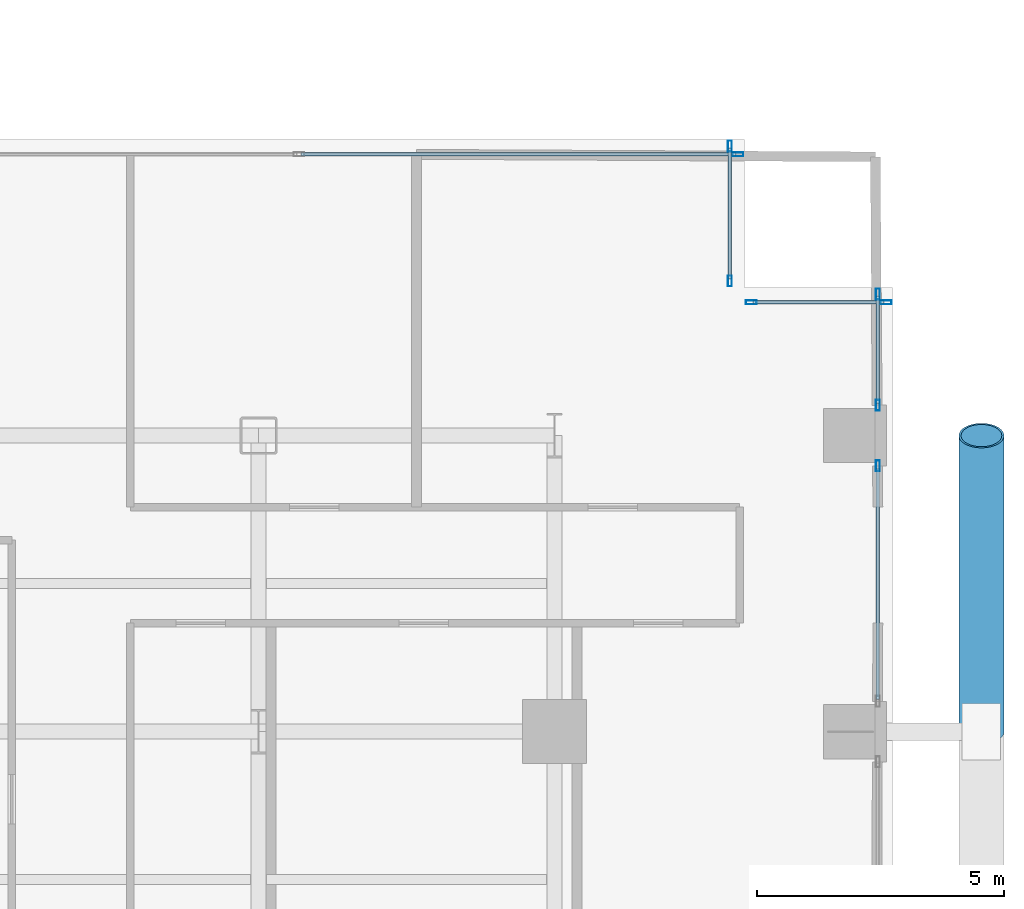
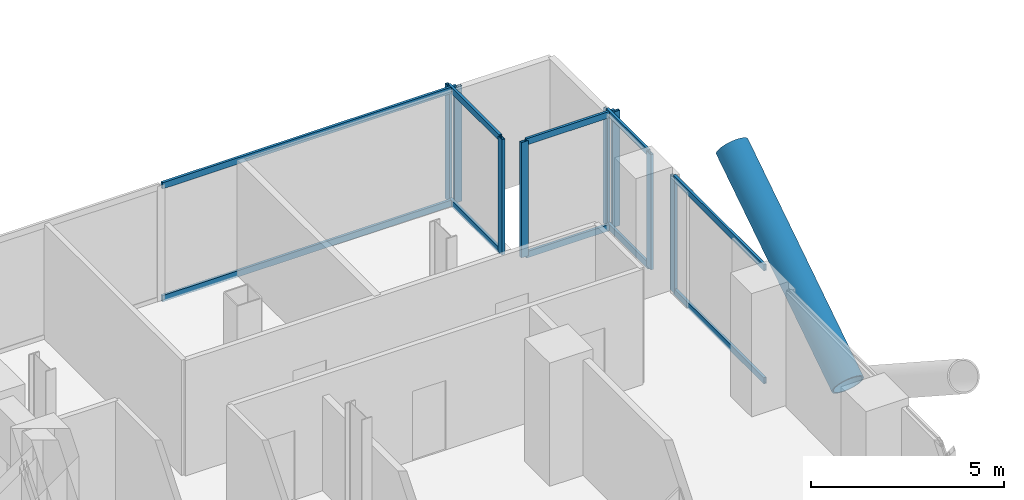
# One storey, part 12 of 27: 19 members, 5 elements without a shape of their own.
"""IFC4 building model written with IfcOpenShell, lengths in metres."""

from ifc_helpers import new_model, si_unit, direction, frame, origin, origin_2d, place, context, subcontext, project, spatial, hollow_rectangle, hollow_circle, extrude, material, layer, layer_set, material_profile, profile_set, type_object, element, aggregate, save


model = new_model("IFC4")

# Units and contexts
model_context = context("Model", 3, precision=1e-05, world=origin(), true_north=direction((0.0, 1.0)))
body_context = subcontext(model_context, "Body", "Model", "MODEL_VIEW")
ifc_project = project(units=[si_unit("LENGTHUNIT", "METRE"), si_unit("AREAUNIT", "SQUARE_METRE"), si_unit("VOLUMEUNIT", "CUBIC_METRE"), si_unit("PLANEANGLEUNIT", "RADIAN"), si_unit("MASSUNIT", "GRAM", prefix="KILO"), si_unit("THERMODYNAMICTEMPERATUREUNIT", "KELVIN"), si_unit("POWERUNIT", "WATT")], contexts=[model_context])

# Site, building, storey
site_placement = place(None, origin())
site = spatial("IfcSite", under=ifc_project, at=site_placement, CompositionType="ELEMENT")
building_placement = place(site_placement, origin())
building = spatial("IfcBuilding", under=site, at=building_placement, Name="Svarakhadi Broadcast Tower", CompositionType="ELEMENT")
storey_placement = place(building_placement, frame((0.0, 0.0, 75.300048828125)))
storey = spatial("IfcBuildingStorey", under=building, at=storey_placement, Name="L17", CompositionType="ELEMENT", Elevation=75.300048828125)

# Curtain wall, member
ifc_material_1 = material(Name="Anodised Bronze Aluminium AA 6063-T6", Category="aluminium")
ifc_layer = layer(ifc_material_1, 0.219970703125)
ifc_layer_set = layer_set([ifc_layer], Name="Anodised Bronze Aluminium AA 6063-T6")
curtain_wall_type = type_object("IfcCurtainWallType", Name="CW_Sys_02", PredefinedType="NOTDEFINED", material=ifc_layer_set)
curtain_wall_1_placement = place(storey_placement, origin())
curtain_wall_1 = element("IfcCurtainWall", 1, at=curtain_wall_1_placement, inside=storey, type_object=curtain_wall_type, Name="L17 Unitised Facade Curtain Wall 10", PredefinedType="NOTDEFINED")
ifc_material_profile_1 = material_profile(ifc_material_1, hollow_rectangle(XDim=0.0849609375, YDim=0.219970703125, WallThickness=0.006103515625, at=origin_2d()), Name="ALU MULLION 220x85x6")
ifc_profile_set_1 = profile_set([ifc_material_profile_1], Name="Anodised Bronze Aluminium AA 6063-T6")
member_type_1 = type_object("IfcMemberType", Name="CW_Sys_02_Mul", PredefinedType="MULLION", material=ifc_profile_set_1)
member_1_placement = place(storey_placement, frame((50.867431640625, 23.699951171875, 0.0), z_axis=(0.0, 0.0, 1.0), x_axis=(0.0, 1.0, 0.0)))
member_1 = element("IfcMember", 2, at=member_1_placement, type_object=member_type_1, Name="CW-02 mullion 4", PredefinedType="MULLION", context=body_context, shape_type="SweptSolid", body=[
    extrude(hollow_rectangle(XDim=0.0849609375, YDim=0.219970703125, WallThickness=0.006103515625, at=origin_2d()), origin(), (0.0, 0.0, 1.0), 3.64990234375),
])

# Curtain wall, members
curtain_wall_2_placement = place(storey_placement, origin())
curtain_wall_2 = element("IfcCurtainWall", 3, at=curtain_wall_2_placement, inside=storey, type_object=curtain_wall_type, Name="L17 Unitised Facade Curtain Wall 11", PredefinedType="NOTDEFINED")
member_2_placement = place(storey_placement, frame((50.699951171875, 23.867431640625, 0.0), z_axis=(0.0, 0.0, 1.0), x_axis=(1.0, 0.0, 0.0)))
member_2 = element("IfcMember", 4, at=member_2_placement, type_object=member_type_1, Name="CW-02 mullion 1", PredefinedType="MULLION", context=body_context, shape_type="SweptSolid", body=[
    extrude(hollow_rectangle(XDim=0.0849609375, YDim=0.219970703125, WallThickness=0.006103515625, at=origin_2d()), origin(), (0.0, 0.0, 1.0), 3.64990234375),
])
member_3_placement = place(storey_placement, frame((50.699951171875, 21.132568359375, 0.0), z_axis=(0.0, 0.0, 1.0), x_axis=(1.0, 0.0, 0.0)))
member_3 = element("IfcMember", 5, at=member_3_placement, type_object=member_type_1, Name="CW-02 mullion 2", PredefinedType="MULLION", context=body_context, shape_type="SweptSolid", body=[
    extrude(hollow_rectangle(XDim=0.0849609375, YDim=0.219970703125, WallThickness=0.006103515625, at=origin_2d()), origin(), (0.0, 0.0, 1.0), 3.64990234375),
])

curtain_wall_3_placement = place(storey_placement, origin())
curtain_wall_3 = element("IfcCurtainWall", 6, at=curtain_wall_3_placement, inside=storey, type_object=curtain_wall_type, Name="L17 Unitised Facade Curtain Wall 12", PredefinedType="NOTDEFINED")
member_4_placement = place(storey_placement, frame((51.132568359375, 20.699951171875, 0.0), z_axis=(0.0, 0.0, 1.0), x_axis=(0.0, 1.0, 0.0)))
member_4 = element("IfcMember", 7, at=member_4_placement, type_object=member_type_1, Name="CW-02 mullion 1", PredefinedType="MULLION", context=body_context, shape_type="SweptSolid", body=[
    extrude(hollow_rectangle(XDim=0.0849609375, YDim=0.219970703125, WallThickness=0.006103515625, at=origin_2d()), origin(), (0.0, 0.0, 1.0), 3.64990234375),
])
member_5_placement = place(storey_placement, frame((53.867431640625, 20.699951171875, 0.0), z_axis=(0.0, 0.0, 1.0), x_axis=(0.0, 1.0, 0.0)))
member_5 = element("IfcMember", 8, at=member_5_placement, type_object=member_type_1, Name="CW-02 mullion 2", PredefinedType="MULLION", context=body_context, shape_type="SweptSolid", body=[
    extrude(hollow_rectangle(XDim=0.0849609375, YDim=0.219970703125, WallThickness=0.006103515625, at=origin_2d()), origin(), (0.0, 0.0, 1.0), 3.64990234375),
])

curtain_wall_4_placement = place(storey_placement, origin())
curtain_wall_4 = element("IfcCurtainWall", 9, at=curtain_wall_4_placement, inside=storey, type_object=curtain_wall_type, Name="L17 Unitised Facade Curtain Wall 13 Bay 1", PredefinedType="NOTDEFINED")
member_6_placement = place(storey_placement, frame((53.699951171875, 20.867431640625, 0.0), z_axis=(0.0, 0.0, 1.0), x_axis=(1.0, 0.0, 0.0)))
member_6 = element("IfcMember", 10, at=member_6_placement, type_object=member_type_1, Name="CW-02 mullion 1", PredefinedType="MULLION", context=body_context, shape_type="SweptSolid", body=[
    extrude(hollow_rectangle(XDim=0.0849609375, YDim=0.219970703125, WallThickness=0.006103515625, at=origin_2d()), origin(), (0.0, 0.0, 1.0), 3.64990234375),
])
member_7_placement = place(storey_placement, frame((53.699951171875, 18.612548828125, 0.0), z_axis=(0.0, 0.0, 1.0), x_axis=(1.0, 0.0, 0.0)))
member_7 = element("IfcMember", 11, at=member_7_placement, type_object=member_type_1, Name="CW-02 mullion 2", PredefinedType="MULLION", context=body_context, shape_type="SweptSolid", body=[
    extrude(hollow_rectangle(XDim=0.0849609375, YDim=0.219970703125, WallThickness=0.006103515625, at=origin_2d()), origin(), (0.0, 0.0, 1.0), 3.64990234375),
])

# Curtain wall, member
curtain_wall_5_placement = place(storey_placement, origin())
curtain_wall_5 = element("IfcCurtainWall", 12, at=curtain_wall_5_placement, inside=storey, type_object=curtain_wall_type, Name="L17 Unitised Facade Curtain Wall 13 Bay 2", PredefinedType="NOTDEFINED")
member_8_placement = place(storey_placement, frame((53.699951171875, 17.387451171875, 0.0), z_axis=(0.0, 0.0, 1.0), x_axis=(1.0, 0.0, 0.0)))
member_8 = element("IfcMember", 13, at=member_8_placement, type_object=member_type_1, Name="CW-02 mullion 1", PredefinedType="MULLION", context=body_context, shape_type="SweptSolid", body=[
    extrude(hollow_rectangle(XDim=0.0849609375, YDim=0.219970703125, WallThickness=0.006103515625, at=origin_2d()), origin(), (0.0, 0.0, 1.0), 3.64990234375),
])

# Member
ifc_material_profile_2 = material_profile(ifc_material_1, hollow_rectangle(XDim=0.074951171875, YDim=0.199951171875, WallThickness=0.0048828125, at=origin_2d()), Name="ALU TRANSOM 200x75x5")
ifc_profile_set_2 = profile_set([ifc_material_profile_2], Name="Anodised Bronze Aluminium AA 6063-T6")
member_type_2 = type_object("IfcMemberType", Name="CW_Sys_02_Trn", PredefinedType="USERDEFINED", material=ifc_profile_set_2)
member_9_placement = place(storey_placement, frame((42.012451171875, 23.699951171875, 0.037353515625), z_axis=(1.0, 0.0, 0.0), x_axis=(0.0, 1.0, 0.0)))
member_9 = element("IfcMember", 14, at=member_9_placement, type_object=member_type_2, Name="CW-02 transom 3.1", ObjectType="TRANSOM", PredefinedType="USERDEFINED", context=body_context, shape_type="SweptSolid", body=[
    extrude(hollow_rectangle(XDim=0.074951171875, YDim=0.199951171875, WallThickness=0.0048828125, at=origin_2d()), origin(), (0.0, 0.0, 1.0), 8.8125),
])

member_10_placement = place(storey_placement, frame((42.012451171875, 23.699951171875, 3.612548828125), z_axis=(1.0, 0.0, 0.0), x_axis=(0.0, 1.0, 0.0)))
member_10 = element("IfcMember", 15, at=member_10_placement, type_object=member_type_2, Name="CW-02 transom 3.2", ObjectType="TRANSOM", PredefinedType="USERDEFINED", context=body_context, shape_type="SweptSolid", body=[
    extrude(hollow_rectangle(XDim=0.074951171875, YDim=0.199951171875, WallThickness=0.0048828125, at=origin_2d()), origin(), (0.0, 0.0, 1.0), 8.8125),
])

aggregate(curtain_wall_1, [member_1, member_9, member_10])

member_11_placement = place(storey_placement, frame((50.699951171875, 23.824951171875, 0.037353515625), z_axis=(0.0, -1.0, 0.0), x_axis=(1.0, 0.0, 0.0)))
member_11 = element("IfcMember", 16, at=member_11_placement, type_object=member_type_2, Name="CW-02 transom 1.1", ObjectType="TRANSOM", PredefinedType="USERDEFINED", context=body_context, shape_type="SweptSolid", body=[
    extrude(hollow_rectangle(XDim=0.074951171875, YDim=0.199951171875, WallThickness=0.0048828125, at=origin_2d()), origin(), (0.0, 0.0, 1.0), 2.64990234375),
])

member_12_placement = place(storey_placement, frame((50.699951171875, 23.824951171875, 3.612548828125), z_axis=(0.0, -1.0, 0.0), x_axis=(1.0, 0.0, 0.0)))
member_12 = element("IfcMember", 17, at=member_12_placement, type_object=member_type_2, Name="CW-02 transom 1.2", ObjectType="TRANSOM", PredefinedType="USERDEFINED", context=body_context, shape_type="SweptSolid", body=[
    extrude(hollow_rectangle(XDim=0.074951171875, YDim=0.199951171875, WallThickness=0.0048828125, at=origin_2d()), origin(), (0.0, 0.0, 1.0), 2.64990234375),
])

aggregate(curtain_wall_2, [member_2, member_3, member_11, member_12])

member_13_placement = place(storey_placement, frame((51.175048828125, 20.699951171875, 0.037353515625), z_axis=(1.0, 0.0, 0.0), x_axis=(0.0, 1.0, 0.0)))
member_13 = element("IfcMember", 18, at=member_13_placement, type_object=member_type_2, Name="CW-02 transom 1.1", ObjectType="TRANSOM", PredefinedType="USERDEFINED", context=body_context, shape_type="SweptSolid", body=[
    extrude(hollow_rectangle(XDim=0.074951171875, YDim=0.199951171875, WallThickness=0.0048828125, at=origin_2d()), origin(), (0.0, 0.0, 1.0), 2.64990234375),
])

member_14_placement = place(storey_placement, frame((51.175048828125, 20.699951171875, 3.612548828125), z_axis=(1.0, 0.0, 0.0), x_axis=(0.0, 1.0, 0.0)))
member_14 = element("IfcMember", 19, at=member_14_placement, type_object=member_type_2, Name="CW-02 transom 1.2", ObjectType="TRANSOM", PredefinedType="USERDEFINED", context=body_context, shape_type="SweptSolid", body=[
    extrude(hollow_rectangle(XDim=0.074951171875, YDim=0.199951171875, WallThickness=0.0048828125, at=origin_2d()), origin(), (0.0, 0.0, 1.0), 2.64990234375),
])

aggregate(curtain_wall_3, [member_4, member_5, member_13, member_14])

member_15_placement = place(storey_placement, frame((53.699951171875, 20.824951171875, 0.037353515625), z_axis=(0.0, -1.0, 0.0), x_axis=(1.0, 0.0, 0.0)))
member_15 = element("IfcMember", 20, at=member_15_placement, type_object=member_type_2, Name="CW-02 transom 1.1", ObjectType="TRANSOM", PredefinedType="USERDEFINED", context=body_context, shape_type="SweptSolid", body=[
    extrude(hollow_rectangle(XDim=0.074951171875, YDim=0.199951171875, WallThickness=0.0048828125, at=origin_2d()), origin(), (0.0, 0.0, 1.0), 2.169921875),
])

member_16_placement = place(storey_placement, frame((53.699951171875, 20.824951171875, 3.612548828125), z_axis=(0.0, -1.0, 0.0), x_axis=(1.0, 0.0, 0.0)))
member_16 = element("IfcMember", 21, at=member_16_placement, type_object=member_type_2, Name="CW-02 transom 1.2", ObjectType="TRANSOM", PredefinedType="USERDEFINED", context=body_context, shape_type="SweptSolid", body=[
    extrude(hollow_rectangle(XDim=0.074951171875, YDim=0.199951171875, WallThickness=0.0048828125, at=origin_2d()), origin(), (0.0, 0.0, 1.0), 2.169921875),
])

aggregate(curtain_wall_4, [member_6, member_7, member_15, member_16])

member_17_placement = place(storey_placement, frame((53.699951171875, 17.344970703125, 0.037353515625), z_axis=(0.0, -1.0, 0.0), x_axis=(1.0, 0.0, 0.0)))
member_17 = element("IfcMember", 22, at=member_17_placement, type_object=member_type_2, Name="CW-02 transom 1.1", ObjectType="TRANSOM", PredefinedType="USERDEFINED", context=body_context, shape_type="SweptSolid", body=[
    extrude(hollow_rectangle(XDim=0.074951171875, YDim=0.199951171875, WallThickness=0.0048828125, at=origin_2d()), origin(), (0.0, 0.0, 1.0), 4.68994140625),
])

member_18_placement = place(storey_placement, frame((53.699951171875, 17.344970703125, 3.612548828125), z_axis=(0.0, -1.0, 0.0), x_axis=(1.0, 0.0, 0.0)))
member_18 = element("IfcMember", 23, at=member_18_placement, type_object=member_type_2, Name="CW-02 transom 1.2", ObjectType="TRANSOM", PredefinedType="USERDEFINED", context=body_context, shape_type="SweptSolid", body=[
    extrude(hollow_rectangle(XDim=0.074951171875, YDim=0.199951171875, WallThickness=0.0048828125, at=origin_2d()), origin(), (0.0, 0.0, 1.0), 4.68994140625),
])

aggregate(curtain_wall_5, [member_8, member_17, member_18])

ifc_material_2 = material(Name="Steel S460ML (IS 2062 E450BR)", Category="steel")
ifc_material_profile_3 = material_profile(ifc_material_2, hollow_circle(Radius=0.45703125, WallThickness=0.044921875, at=origin_2d()), Name="CHS 914x45")
ifc_profile_set_3 = profile_set([ifc_material_profile_3], Name="Steel S460ML (IS 2062 E450BR)")
member_type_3 = type_object("IfcMemberType", Name="Exo_Brace_CHS914", PredefinedType="BRACE", material=ifc_profile_set_3)
member_19_placement = place(storey_placement, frame((55.800048828125, 12.0, -0.427734375), z_axis=(0.0, 0.838449851971, 0.544978757136), x_axis=(-1.0, 0.0, 0.0)))
element("IfcMember", 24, at=member_19_placement, inside=storey, type_object=member_type_3, Name="L17 Exposed Bronze Exoskeleton Diagonal E11", PredefinedType="BRACE", context=body_context, shape_type="SweptSolid", body=[
    extrude(hollow_circle(Radius=0.45703125, WallThickness=0.044921875, at=origin_2d()), origin(), (0.0, 0.0, 1.0), 7.156005859375),
])

save(model, "model.ifc")
